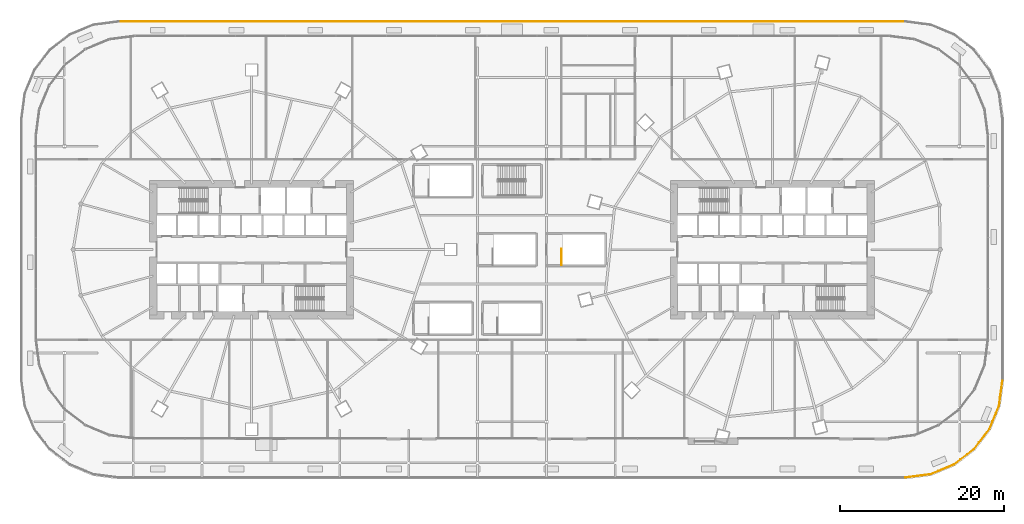
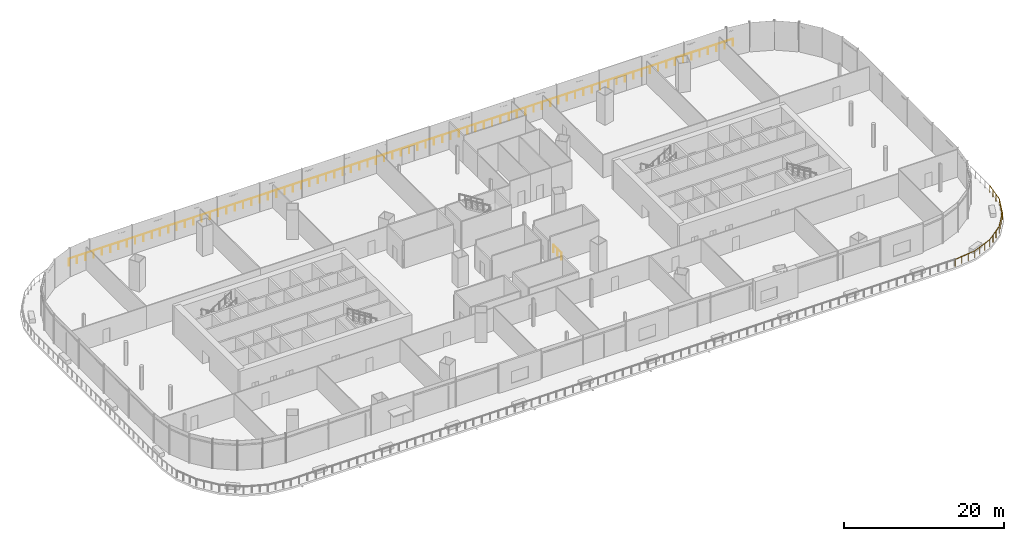
# One storey, part 44 of 49: 3 railings.
"""IFC4 building model written with IfcOpenShell, lengths in metres."""

from ifc_helpers import new_model, si_unit, direction, frame, origin, origin_2d, place, context, subcontext, project, spatial, circle, extrude, material, type_object, element, save


model = new_model("IFC4")

# Units and contexts
model_context = context("Model", 3, precision=1e-05, world=origin(), true_north=direction((0.0, 1.0)))
body_context = subcontext(model_context, "Body", "Model", "MODEL_VIEW")
ifc_project = project(units=[si_unit("LENGTHUNIT", "METRE"), si_unit("AREAUNIT", "SQUARE_METRE"), si_unit("VOLUMEUNIT", "CUBIC_METRE"), si_unit("PLANEANGLEUNIT", "RADIAN"), si_unit("MASSUNIT", "GRAM", prefix="KILO")], contexts=[model_context])

# Site, building, storey
site_placement = place(None, origin())
site = spatial("IfcSite", under=ifc_project, at=site_placement, CompositionType="ELEMENT")
building_placement = place(site_placement, origin())
building = spatial("IfcBuilding", under=site, at=building_placement, Name="Rimbun Link Towers", CompositionType="ELEMENT")
storey_placement = place(building_placement, frame((0.0, 0.0, 25.5)))
storey = spatial("IfcBuildingStorey", under=building, at=storey_placement, Name="L05", CompositionType="ELEMENT", Elevation=25.5)

# Railings
ifc_material_1 = material(Name="Toughened laminated glass, stainless steel grade 316 posts and cap rail", Category="steel")
railing_type_1 = type_object("IfcRailingType", Name="GUARD glass balustrade with stainless cap rail", PredefinedType="BALUSTRADE", material=ifc_material_1)
railing_1_placement = place(storey_placement, frame((47.98681640625, -27.800048828125, 0.0)))
element("IfcRailing", 1, at=railing_1_placement, inside=storey, type_object=railing_type_1, Name="GUARD glass balustrade", PredefinedType="BALUSTRADE", context=body_context, shape_type="SweptSolid", body=[
    extrude(circle(Radius=0.02392578125, at=origin_2d()), frame((0.0, 0.0, 1.076171875), z_axis=(0.991443009305, 0.130540259305, 0.0), x_axis=(-0.130540259305, 0.991443009305, 0.0)), (0.0, 0.0, 1.0), 3.09326171875),
    extrude(circle(Radius=0.02392578125, at=origin_2d()), frame((3.06689453125, 0.40380859375, 1.076171875), z_axis=(0.92386997747, 0.382706499462, 0.0), x_axis=(-0.382706499462, 0.92386997747, 0.0)), (0.0, 0.0, 1.0), 3.079833984375),
    extrude(circle(Radius=0.02392578125, at=origin_2d()), frame((5.912353515625, 1.58251953125, 1.076171875), z_axis=(0.793398353015, 0.608702762794, 0.0), x_axis=(-0.608702762794, 0.793398353015, 0.0)), (0.0, 0.0, 1.0), 3.079833984375),
    extrude(circle(Radius=0.02392578125, at=origin_2d()), frame((8.35595703125, 3.457275390625, 1.076171875), z_axis=(0.608702762794, 0.793398353015, 0.0), x_axis=(-0.793398353015, 0.608702762794, 0.0)), (0.0, 0.0, 1.0), 3.079833984375),
    extrude(circle(Radius=0.02392578125, at=origin_2d()), frame((10.230712890625, 5.90087890625, 1.076171875), z_axis=(0.382706499462, 0.92386997747, 0.0), x_axis=(-0.92386997747, 0.382706499462, 0.0)), (0.0, 0.0, 1.0), 3.079833984375),
    extrude(circle(Radius=0.02392578125, at=origin_2d()), frame((11.409423828125, 8.746337890625, 1.076171875), z_axis=(0.130540259305, 0.991443009305, 0.0), x_axis=(-0.991443009305, 0.130540259305, 0.0)), (0.0, 0.0, 1.0), 3.09326171875),
    extrude(circle(Radius=0.02099609375, at=origin_2d()), origin(), (0.0, 0.0, 1.0), 1.052001953125),
    extrude(circle(Radius=0.02099609375, at=origin_2d()), frame((1.022216796875, 0.134521484375, 0.0)), (0.0, 0.0, 1.0), 1.052001953125),
    extrude(circle(Radius=0.02099609375, at=origin_2d()), frame((2.044677734375, 0.269287109375, 0.0)), (0.0, 0.0, 1.0), 1.052001953125),
    extrude(circle(Radius=0.02099609375, at=origin_2d()), frame((3.06689453125, 0.40380859375, 0.0)), (0.0, 0.0, 1.0), 1.052001953125),
    extrude(circle(Radius=0.02099609375, at=origin_2d()), frame((4.015380859375, 0.796630859375, 0.0)), (0.0, 0.0, 1.0), 1.052001953125),
    extrude(circle(Radius=0.02099609375, at=origin_2d()), frame((4.9638671875, 1.189697265625, 0.0)), (0.0, 0.0, 1.0), 1.052001953125),
    extrude(circle(Radius=0.02099609375, at=origin_2d()), frame((5.912353515625, 1.58251953125, 0.0)), (0.0, 0.0, 1.0), 1.052001953125),
    extrude(circle(Radius=0.02099609375, at=origin_2d()), frame((6.726806640625, 2.20751953125, 0.0)), (0.0, 0.0, 1.0), 1.052001953125),
    extrude(circle(Radius=0.02099609375, at=origin_2d()), frame((7.54150390625, 2.832275390625, 0.0)), (0.0, 0.0, 1.0), 1.052001953125),
    extrude(circle(Radius=0.02099609375, at=origin_2d()), frame((8.35595703125, 3.457275390625, 0.0)), (0.0, 0.0, 1.0), 1.052001953125),
    extrude(circle(Radius=0.02099609375, at=origin_2d()), frame((8.98095703125, 4.271728515625, 0.0)), (0.0, 0.0, 1.0), 1.052001953125),
    extrude(circle(Radius=0.02099609375, at=origin_2d()), frame((9.605712890625, 5.08642578125, 0.0)), (0.0, 0.0, 1.0), 1.052001953125),
    extrude(circle(Radius=0.02099609375, at=origin_2d()), frame((10.230712890625, 5.90087890625, 0.0)), (0.0, 0.0, 1.0), 1.052001953125),
    extrude(circle(Radius=0.02099609375, at=origin_2d()), frame((10.62353515625, 6.849365234375, 0.0)), (0.0, 0.0, 1.0), 1.052001953125),
    extrude(circle(Radius=0.02099609375, at=origin_2d()), frame((11.0166015625, 7.7978515625, 0.0)), (0.0, 0.0, 1.0), 1.052001953125),
    extrude(circle(Radius=0.02099609375, at=origin_2d()), frame((11.409423828125, 8.746337890625, 0.0)), (0.0, 0.0, 1.0), 1.052001953125),
    extrude(circle(Radius=0.02099609375, at=origin_2d()), frame((11.5439453125, 9.7685546875, 0.0)), (0.0, 0.0, 1.0), 1.052001953125),
    extrude(circle(Radius=0.02099609375, at=origin_2d()), frame((11.6787109375, 10.791015625, 0.0)), (0.0, 0.0, 1.0), 1.052001953125),
    extrude(circle(Radius=0.02099609375, at=origin_2d()), frame((11.813232421875, 11.813232421875, 0.0)), (0.0, 0.0, 1.0), 1.052001953125),
])
railing_2_placement = place(storey_placement, frame((47.98681640625, 27.800048828125, 0.0)))
element("IfcRailing", 2, at=railing_2_placement, inside=storey, type_object=railing_type_1, Name="GUARD glass balustrade", PredefinedType="BALUSTRADE", context=body_context, shape_type="SweptSolid", body=[
    extrude(circle(Radius=0.02392578125, at=origin_2d()), frame((0.0, 0.0, 1.076171875), z_axis=(-1.0, 0.0, 0.0), x_axis=(0.0, -1.0, 0.0)), (0.0, 0.0, 1.0), 95.9736328125),
    extrude(circle(Radius=0.02099609375, at=origin_2d()), origin(), (0.0, 0.0, 1.0), 1.052001953125),
    extrude(circle(Radius=0.02099609375, at=origin_2d()), frame((-1.19970703125, 0.0, 0.0)), (0.0, 0.0, 1.0), 1.052001953125),
    extrude(circle(Radius=0.02099609375, at=origin_2d()), frame((-2.3994140625, 0.0, 0.0)), (0.0, 0.0, 1.0), 1.052001953125),
    extrude(circle(Radius=0.02099609375, at=origin_2d()), frame((-3.59912109375, 0.0, 0.0)), (0.0, 0.0, 1.0), 1.052001953125),
    extrude(circle(Radius=0.02099609375, at=origin_2d()), frame((-4.798583984375, 0.0, 0.0)), (0.0, 0.0, 1.0), 1.052001953125),
    extrude(circle(Radius=0.02099609375, at=origin_2d()), frame((-5.998291015625, 0.0, 0.0)), (0.0, 0.0, 1.0), 1.052001953125),
    extrude(circle(Radius=0.02099609375, at=origin_2d()), frame((-7.197998046875, 0.0, 0.0)), (0.0, 0.0, 1.0), 1.052001953125),
    extrude(circle(Radius=0.02099609375, at=origin_2d()), frame((-8.397705078125, 0.0, 0.0)), (0.0, 0.0, 1.0), 1.052001953125),
    extrude(circle(Radius=0.02099609375, at=origin_2d()), frame((-9.597412109375, 0.0, 0.0)), (0.0, 0.0, 1.0), 1.052001953125),
    extrude(circle(Radius=0.02099609375, at=origin_2d()), frame((-10.797119140625, 0.0, 0.0)), (0.0, 0.0, 1.0), 1.052001953125),
    extrude(circle(Radius=0.02099609375, at=origin_2d()), frame((-11.99658203125, 0.0, 0.0)), (0.0, 0.0, 1.0), 1.052001953125),
    extrude(circle(Radius=0.02099609375, at=origin_2d()), frame((-13.1962890625, 0.0, 0.0)), (0.0, 0.0, 1.0), 1.052001953125),
    extrude(circle(Radius=0.02099609375, at=origin_2d()), frame((-14.39599609375, 0.0, 0.0)), (0.0, 0.0, 1.0), 1.052001953125),
    extrude(circle(Radius=0.02099609375, at=origin_2d()), frame((-15.595703125, 0.0, 0.0)), (0.0, 0.0, 1.0), 1.052001953125),
    extrude(circle(Radius=0.02099609375, at=origin_2d()), frame((-16.79541015625, 0.0, 0.0)), (0.0, 0.0, 1.0), 1.052001953125),
    extrude(circle(Radius=0.02099609375, at=origin_2d()), frame((-17.9951171875, 0.0, 0.0)), (0.0, 0.0, 1.0), 1.052001953125),
    extrude(circle(Radius=0.02099609375, at=origin_2d()), frame((-19.19482421875, 0.0, 0.0)), (0.0, 0.0, 1.0), 1.052001953125),
    extrude(circle(Radius=0.02099609375, at=origin_2d()), frame((-20.394287109375, 0.0, 0.0)), (0.0, 0.0, 1.0), 1.052001953125),
    extrude(circle(Radius=0.02099609375, at=origin_2d()), frame((-21.593994140625, 0.0, 0.0)), (0.0, 0.0, 1.0), 1.052001953125),
    extrude(circle(Radius=0.02099609375, at=origin_2d()), frame((-22.793701171875, 0.0, 0.0)), (0.0, 0.0, 1.0), 1.052001953125),
    extrude(circle(Radius=0.02099609375, at=origin_2d()), frame((-23.993408203125, 0.0, 0.0)), (0.0, 0.0, 1.0), 1.052001953125),
    extrude(circle(Radius=0.02099609375, at=origin_2d()), frame((-25.193115234375, 0.0, 0.0)), (0.0, 0.0, 1.0), 1.052001953125),
    extrude(circle(Radius=0.02099609375, at=origin_2d()), frame((-26.392822265625, 0.0, 0.0)), (0.0, 0.0, 1.0), 1.052001953125),
    extrude(circle(Radius=0.02099609375, at=origin_2d()), frame((-27.592529296875, 0.0, 0.0)), (0.0, 0.0, 1.0), 1.052001953125),
    extrude(circle(Radius=0.02099609375, at=origin_2d()), frame((-28.7919921875, 0.0, 0.0)), (0.0, 0.0, 1.0), 1.052001953125),
    extrude(circle(Radius=0.02099609375, at=origin_2d()), frame((-29.99169921875, 0.0, 0.0)), (0.0, 0.0, 1.0), 1.052001953125),
    extrude(circle(Radius=0.02099609375, at=origin_2d()), frame((-31.19140625, 0.0, 0.0)), (0.0, 0.0, 1.0), 1.052001953125),
    extrude(circle(Radius=0.02099609375, at=origin_2d()), frame((-32.39111328125, 0.0, 0.0)), (0.0, 0.0, 1.0), 1.052001953125),
    extrude(circle(Radius=0.02099609375, at=origin_2d()), frame((-33.5908203125, 0.0, 0.0)), (0.0, 0.0, 1.0), 1.052001953125),
    extrude(circle(Radius=0.02099609375, at=origin_2d()), frame((-34.79052734375, 0.0, 0.0)), (0.0, 0.0, 1.0), 1.052001953125),
    extrude(circle(Radius=0.02099609375, at=origin_2d()), frame((-35.990234375, 0.0, 0.0)), (0.0, 0.0, 1.0), 1.052001953125),
    extrude(circle(Radius=0.02099609375, at=origin_2d()), frame((-37.189697265625, 0.0, 0.0)), (0.0, 0.0, 1.0), 1.052001953125),
    extrude(circle(Radius=0.02099609375, at=origin_2d()), frame((-38.389404296875, 0.0, 0.0)), (0.0, 0.0, 1.0), 1.052001953125),
    extrude(circle(Radius=0.02099609375, at=origin_2d()), frame((-39.589111328125, 0.0, 0.0)), (0.0, 0.0, 1.0), 1.052001953125),
    extrude(circle(Radius=0.02099609375, at=origin_2d()), frame((-40.788818359375, 0.0, 0.0)), (0.0, 0.0, 1.0), 1.052001953125),
    extrude(circle(Radius=0.02099609375, at=origin_2d()), frame((-41.988525390625, 0.0, 0.0)), (0.0, 0.0, 1.0), 1.052001953125),
    extrude(circle(Radius=0.02099609375, at=origin_2d()), frame((-43.188232421875, 0.0, 0.0)), (0.0, 0.0, 1.0), 1.052001953125),
    extrude(circle(Radius=0.02099609375, at=origin_2d()), frame((-44.3876953125, 0.0, 0.0)), (0.0, 0.0, 1.0), 1.052001953125),
    extrude(circle(Radius=0.02099609375, at=origin_2d()), frame((-45.58740234375, 0.0, 0.0)), (0.0, 0.0, 1.0), 1.052001953125),
    extrude(circle(Radius=0.02099609375, at=origin_2d()), frame((-46.787109375, 0.0, 0.0)), (0.0, 0.0, 1.0), 1.052001953125),
    extrude(circle(Radius=0.02099609375, at=origin_2d()), frame((-47.98681640625, 0.0, 0.0)), (0.0, 0.0, 1.0), 1.052001953125),
    extrude(circle(Radius=0.02099609375, at=origin_2d()), frame((-49.1865234375, 0.0, 0.0)), (0.0, 0.0, 1.0), 1.052001953125),
    extrude(circle(Radius=0.02099609375, at=origin_2d()), frame((-50.38623046875, 0.0, 0.0)), (0.0, 0.0, 1.0), 1.052001953125),
    extrude(circle(Radius=0.02099609375, at=origin_2d()), frame((-51.5859375, 0.0, 0.0)), (0.0, 0.0, 1.0), 1.052001953125),
    extrude(circle(Radius=0.02099609375, at=origin_2d()), frame((-52.785400390625, 0.0, 0.0)), (0.0, 0.0, 1.0), 1.052001953125),
    extrude(circle(Radius=0.02099609375, at=origin_2d()), frame((-53.985107421875, 0.0, 0.0)), (0.0, 0.0, 1.0), 1.052001953125),
    extrude(circle(Radius=0.02099609375, at=origin_2d()), frame((-55.184814453125, 0.0, 0.0)), (0.0, 0.0, 1.0), 1.052001953125),
    extrude(circle(Radius=0.02099609375, at=origin_2d()), frame((-56.384521484375, 0.0, 0.0)), (0.0, 0.0, 1.0), 1.052001953125),
    extrude(circle(Radius=0.02099609375, at=origin_2d()), frame((-57.584228515625, 0.0, 0.0)), (0.0, 0.0, 1.0), 1.052001953125),
    extrude(circle(Radius=0.02099609375, at=origin_2d()), frame((-58.783935546875, 0.0, 0.0)), (0.0, 0.0, 1.0), 1.052001953125),
    extrude(circle(Radius=0.02099609375, at=origin_2d()), frame((-59.9833984375, 0.0, 0.0)), (0.0, 0.0, 1.0), 1.052001953125),
    extrude(circle(Radius=0.02099609375, at=origin_2d()), frame((-61.18310546875, 0.0, 0.0)), (0.0, 0.0, 1.0), 1.052001953125),
    extrude(circle(Radius=0.02099609375, at=origin_2d()), frame((-62.3828125, 0.0, 0.0)), (0.0, 0.0, 1.0), 1.052001953125),
    extrude(circle(Radius=0.02099609375, at=origin_2d()), frame((-63.58251953125, 0.0, 0.0)), (0.0, 0.0, 1.0), 1.052001953125),
    extrude(circle(Radius=0.02099609375, at=origin_2d()), frame((-64.7822265625, 0.0, 0.0)), (0.0, 0.0, 1.0), 1.052001953125),
    extrude(circle(Radius=0.02099609375, at=origin_2d()), frame((-65.98193359375, 0.0, 0.0)), (0.0, 0.0, 1.0), 1.052001953125),
    extrude(circle(Radius=0.02099609375, at=origin_2d()), frame((-67.181640625, 0.0, 0.0)), (0.0, 0.0, 1.0), 1.052001953125),
    extrude(circle(Radius=0.02099609375, at=origin_2d()), frame((-68.381103515625, 0.0, 0.0)), (0.0, 0.0, 1.0), 1.052001953125),
    extrude(circle(Radius=0.02099609375, at=origin_2d()), frame((-69.580810546875, 0.0, 0.0)), (0.0, 0.0, 1.0), 1.052001953125),
    extrude(circle(Radius=0.02099609375, at=origin_2d()), frame((-70.780517578125, 0.0, 0.0)), (0.0, 0.0, 1.0), 1.052001953125),
    extrude(circle(Radius=0.02099609375, at=origin_2d()), frame((-71.980224609375, 0.0, 0.0)), (0.0, 0.0, 1.0), 1.052001953125),
    extrude(circle(Radius=0.02099609375, at=origin_2d()), frame((-73.179931640625, 0.0, 0.0)), (0.0, 0.0, 1.0), 1.052001953125),
    extrude(circle(Radius=0.02099609375, at=origin_2d()), frame((-74.379638671875, 0.0, 0.0)), (0.0, 0.0, 1.0), 1.052001953125),
    extrude(circle(Radius=0.02099609375, at=origin_2d()), frame((-75.579345703125, 0.0, 0.0)), (0.0, 0.0, 1.0), 1.052001953125),
    extrude(circle(Radius=0.02099609375, at=origin_2d()), frame((-76.77880859375, 0.0, 0.0)), (0.0, 0.0, 1.0), 1.052001953125),
    extrude(circle(Radius=0.02099609375, at=origin_2d()), frame((-77.978515625, 0.0, 0.0)), (0.0, 0.0, 1.0), 1.052001953125),
    extrude(circle(Radius=0.02099609375, at=origin_2d()), frame((-79.17822265625, 0.0, 0.0)), (0.0, 0.0, 1.0), 1.052001953125),
    extrude(circle(Radius=0.02099609375, at=origin_2d()), frame((-80.3779296875, 0.0, 0.0)), (0.0, 0.0, 1.0), 1.052001953125),
    extrude(circle(Radius=0.02099609375, at=origin_2d()), frame((-81.57763671875, 0.0, 0.0)), (0.0, 0.0, 1.0), 1.052001953125),
    extrude(circle(Radius=0.02099609375, at=origin_2d()), frame((-82.77734375, 0.0, 0.0)), (0.0, 0.0, 1.0), 1.052001953125),
    extrude(circle(Radius=0.02099609375, at=origin_2d()), frame((-83.97705078125, 0.0, 0.0)), (0.0, 0.0, 1.0), 1.052001953125),
    extrude(circle(Radius=0.02099609375, at=origin_2d()), frame((-85.176513671875, 0.0, 0.0)), (0.0, 0.0, 1.0), 1.052001953125),
    extrude(circle(Radius=0.02099609375, at=origin_2d()), frame((-86.376220703125, 0.0, 0.0)), (0.0, 0.0, 1.0), 1.052001953125),
    extrude(circle(Radius=0.02099609375, at=origin_2d()), frame((-87.575927734375, 0.0, 0.0)), (0.0, 0.0, 1.0), 1.052001953125),
    extrude(circle(Radius=0.02099609375, at=origin_2d()), frame((-88.775634765625, 0.0, 0.0)), (0.0, 0.0, 1.0), 1.052001953125),
    extrude(circle(Radius=0.02099609375, at=origin_2d()), frame((-89.975341796875, 0.0, 0.0)), (0.0, 0.0, 1.0), 1.052001953125),
    extrude(circle(Radius=0.02099609375, at=origin_2d()), frame((-91.175048828125, 0.0, 0.0)), (0.0, 0.0, 1.0), 1.052001953125),
    extrude(circle(Radius=0.02099609375, at=origin_2d()), frame((-92.37451171875, 0.0, 0.0)), (0.0, 0.0, 1.0), 1.052001953125),
    extrude(circle(Radius=0.02099609375, at=origin_2d()), frame((-93.57421875, 0.0, 0.0)), (0.0, 0.0, 1.0), 1.052001953125),
    extrude(circle(Radius=0.02099609375, at=origin_2d()), frame((-94.77392578125, 0.0, 0.0)), (0.0, 0.0, 1.0), 1.052001953125),
    extrude(circle(Radius=0.02099609375, at=origin_2d()), frame((-95.9736328125, 0.0, 0.0)), (0.0, 0.0, 1.0), 1.052001953125),
])
ifc_material_2 = material(Name="Stainless steel grade 316", Category="steel")
railing_type_2 = type_object("IfcRailingType", Name="Stair guard", PredefinedType="GUARDRAIL", material=ifc_material_2)
railing_3_placement = place(storey_placement, frame((6.050048828125, -1.875, 0.0)))
element("IfcRailing", 3, at=railing_3_placement, inside=storey, type_object=railing_type_2, Name="L05 PS5 top well guard 1", PredefinedType="GUARDRAIL", context=body_context, shape_type="SweptSolid", body=[
    extrude(circle(Radius=0.02392578125, at=origin_2d()), frame((0.0, 0.0, 1.076171875), z_axis=(0.0, 1.0, 0.0), x_axis=(-1.0, 0.0, 0.0)), (0.0, 0.0, 1.0), 1.949951171875),
    extrude(circle(Radius=0.02099609375, at=origin_2d()), origin(), (0.0, 0.0, 1.0), 1.052001953125),
    extrude(circle(Radius=0.02099609375, at=origin_2d()), frame((0.0, 0.97509765625, 0.0)), (0.0, 0.0, 1.0), 1.052001953125),
    extrude(circle(Radius=0.02099609375, at=origin_2d()), frame((0.0, 1.949951171875, 0.0)), (0.0, 0.0, 1.0), 1.052001953125),
])

save(model, "model.ifc")
